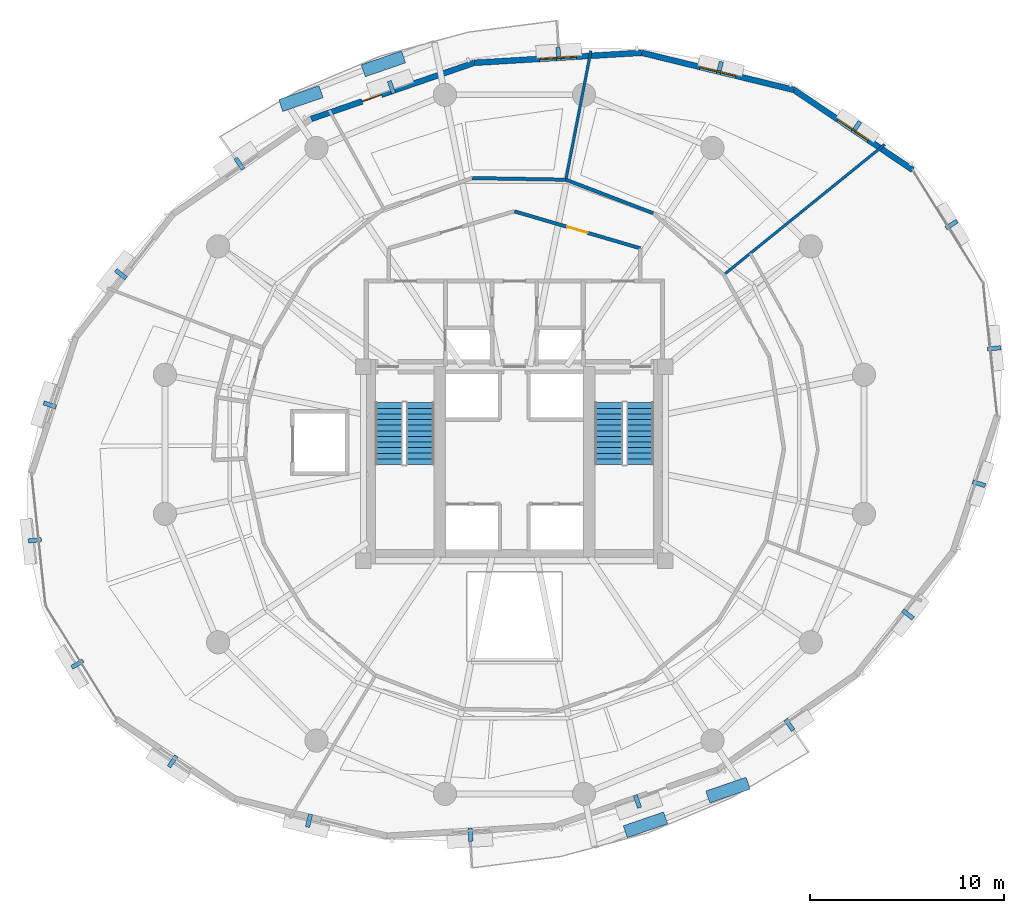
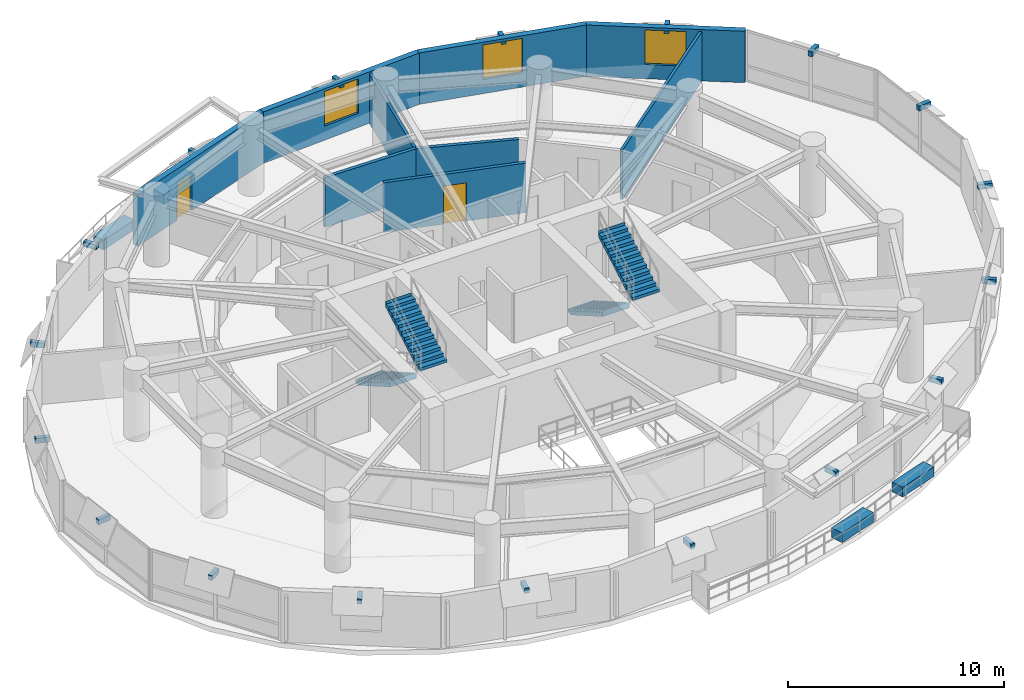
# One storey, part 12 of 15: 22 discrete accessories, 9 walls, 4 stair flights, 3 windows, 2 doors, 5 openings, 2 elements without a shape of their own.
"""IFC4 building model written with IfcOpenShell, lengths in metres."""

from ifc_helpers import new_model, si_unit, direction, frame, frame_2d, origin, origin_2d, place, context, subcontext, project, spatial, polyline, rectangle, outline, extrude, material, layer, layer_set, type_object, element, fill, aggregate, save


model = new_model("IFC4")

# Units and contexts
model_context = context("Model", 3, precision=1e-05, world=origin(), true_north=direction((0.0, 1.0)))
body_context = subcontext(model_context, "Body", "Model", "MODEL_VIEW")
ifc_project = project(units=[si_unit("LENGTHUNIT", "METRE"), si_unit("AREAUNIT", "SQUARE_METRE"), si_unit("VOLUMEUNIT", "CUBIC_METRE"), si_unit("PLANEANGLEUNIT", "RADIAN"), si_unit("MASSUNIT", "GRAM", prefix="KILO"), si_unit("THERMODYNAMICTEMPERATUREUNIT", "KELVIN"), si_unit("POWERUNIT", "WATT")], contexts=[model_context])

# Site, building, storey
site_placement = place(None, origin())
site = spatial("IfcSite", under=ifc_project, at=site_placement, CompositionType="ELEMENT")
building_placement = place(site_placement, origin())
building = spatial("IfcBuilding", under=site, at=building_placement, Name="Ocrelia Relay Tower", CompositionType="ELEMENT")
storey_placement = place(building_placement, frame((0.0, 0.0, 113.800048828125)))
storey = spatial("IfcBuildingStorey", under=building, at=storey_placement, Name="L26", CompositionType="ELEMENT", Elevation=113.800048828125)

# Wall, opening, door
ifc_material_1 = material(Name="Gypsum Fireboard Partition EI60", Category="gypsum")
ifc_layer_1 = layer(ifc_material_1, 0.179931640625, Name="Gypsum Fireboard Partition EI60")
ifc_layer_set_1 = layer_set([ifc_layer_1], Name="Gypsum Fireboard Partition EI60")
wall_type_1 = type_object("IfcWallType", Name="W-CORR-EI60-180", PredefinedType="PARTITIONING", material=ifc_layer_set_1)
wall_1_placement = place(storey_placement, frame((34.0, 38.030029296875, 0.0), z_axis=(0.0, 0.0, 1.0), x_axis=(0.959546654541, -0.281549671923, 0.0)))
wall_1 = element("IfcWall", 1, at=wall_1_placement, inside=storey, type_object=wall_type_1, Name="L26 North Smoke Lobby E Screen Wall", PredefinedType="PARTITIONING", context=body_context, shape_type="SweptSolid", body=[
    extrude(rectangle(XDim=6.77392578125, YDim=0.179931640625, at=frame_2d((3.386962890625, 0.0))), origin(), (0.0, 0.0, 1.0), 2.800048828125),
])
opening_1_placement = place(wall_1_placement, frame((2.8369140625, 0.0, 0.0)))
opening_1 = element("IfcOpeningElement", 2, at=opening_1_placement, cuts=wall_1, Name="Opening D-FD60", PredefinedType="OPENING", context=body_context, shape_type="SweptSolid", body=[
    extrude(rectangle(XDim=1.10009765625, YDim=2.14990234375, at=frame_2d((0.550048828125, 1.074951171875))), frame((0.0, 0.10009765625, 0.0), z_axis=(0.0, -1.0, 0.0), x_axis=(1.0, 0.0, 0.0)), (0.0, 0.0, 1.0), 0.199951171875),
])
ifc_material_2 = material(Name="Timber-core 60-min acoustic fire door", Category="wood")
door_type_1 = type_object("IfcDoorType", Name="DR-LOBBY-FD60-1100", OperationType="NOTDEFINED", PredefinedType="DOOR", material=ifc_material_2)
door_1_placement = place(opening_1_placement, origin())
door_1 = element("IfcDoor", 3, at=door_1_placement, inside=storey, type_object=door_type_1, Name="L26 North Smoke Lobby E Fire Door", OperationType="SINGLE_SWING_LEFT", OverallHeight=2.14990234375, OverallWidth=1.10009765625, PredefinedType="DOOR", context=body_context, shape_type="SweptSolid", body=[
    extrude(rectangle(XDim=1.10009765625, YDim=2.14990234375, at=frame_2d((0.550048828125, 1.074951171875))), frame((0.0, 0.02490234375, 0.0), z_axis=(0.0, -1.0, 0.0), x_axis=(1.0, 0.0, 0.0)), (0.0, 0.0, 1.0), 0.050048828125),
])
fill(opening_1, door_1)

# Walls
for number, where, z_axis, x_axis, name in (
    (4, (41.169189453125, 37.931884765625, 0.0), (0.0, 0.0, 1.0), (-0.933582294394, 0.35836308347, 0.0), "L26 Technical Briefing Room Corridor Partition 2"),
    (5, (36.656005859375, 39.664306640625, 0.0), (0.0, 0.0, 1.0), (-0.999848201787, 0.01742335739, 0.0), "L26 Photonics Testing Studio Corridor Partition 1"),
):
    element("IfcWall", number, at=place(storey_placement, frame(where, z_axis=z_axis, x_axis=x_axis)), inside=storey, type_object=wall_type_1, Name=name, PredefinedType="PARTITIONING", context=body_context, shape_type="SweptSolid", body=[
        extrude(rectangle(XDim=4.834228515625, YDim=0.179931640625, at=frame_2d((2.4169921875, 0.0))), origin(), (0.0, 0.0, 1.0), 2.800048828125),
    ])

# Wall, opening, window
ifc_material_3 = material(Name="Precast concrete C40/50 with oxide terracotta", Category="masonry")
ifc_layer_2 = layer(ifc_material_3, 0.300048828125, Name="Precast concrete C40/50 with oxide terracotta")
ifc_layer_set_2 = layer_set([ifc_layer_2], Name="Precast concrete C40/50 with oxide terracotta")
wall_type_2 = type_object("IfcWallType", Name="W-EXT-TERR-300", PredefinedType="SOLIDWALL", material=ifc_layer_set_2)
wall_2_placement = place(storey_placement, frame((54.56298828125, 40.17041015625, 0.0), z_axis=(0.0, 0.0, 1.0), x_axis=(-0.829231445655, 0.558905367247, 0.0)))
wall_2 = element("IfcWall", 6, at=wall_2_placement, inside=storey, type_object=wall_type_2, Name="L26 Oxide Terracotta Facade Wall 02", PredefinedType="SOLIDWALL", context=body_context, shape_type="SweptSolid", body=[
    extrude(rectangle(XDim=7.383056640625, YDim=0.300048828125, at=frame_2d((3.69140625, 0.0))), origin(), (0.0, 0.0, 1.0), 2.89990234375),
])
opening_2_placement = place(wall_2_placement, frame((2.741943359375, 0.0, 0.800048828125)))
opening_2 = element("IfcOpeningElement", 7, at=opening_2_placement, cuts=wall_2, Name="Opening W-06", PredefinedType="OPENING", context=body_context, shape_type="SweptSolid", body=[
    extrude(rectangle(XDim=1.89990234375, YDim=1.949951171875, at=frame_2d((0.949951171875, 0.97509765625))), frame((0.0, 0.16015625, 0.0), z_axis=(0.0, -1.0, 0.0), x_axis=(1.0, 0.0, 0.0)), (0.0, 0.0, 1.0), 0.320068359375),
])
ifc_material_4 = material(Name="Clear double-glazed low-E glass", Category="glass")
window_type = type_object("IfcWindowType", Name="WIN-Z2-1900x2100", PartitioningType="DOUBLE_PANEL_VERTICAL", PredefinedType="WINDOW", material=ifc_material_4)
window_1_placement = place(opening_2_placement, origin())
window_1 = element("IfcWindow", 8, at=window_1_placement, inside=storey, type_object=window_type, Name="L26 Facade Module Window 02", OverallHeight=1.949951171875, OverallWidth=1.89990234375, PartitioningType="SINGLE_PANEL", PredefinedType="WINDOW", context=body_context, shape_type="SweptSolid", body=[
    extrude(rectangle(XDim=1.89990234375, YDim=1.949951171875, at=frame_2d((0.949951171875, 0.97509765625))), frame((0.0, 0.030029296875, 0.0), z_axis=(0.0, -1.0, 0.0), x_axis=(1.0, 0.0, 0.0)), (0.0, 0.0, 1.0), 0.06005859375),
])
fill(opening_2, window_1)

wall_3_placement = place(storey_placement, frame((48.440673828125, 44.296875, 0.0), z_axis=(0.0, 0.0, 1.0), x_axis=(-0.971475786146, 0.237138771466, 0.0)))
wall_3 = element("IfcWall", 9, at=wall_3_placement, inside=storey, type_object=wall_type_2, Name="L26 Oxide Terracotta Facade Wall 03", PredefinedType="SOLIDWALL", context=body_context, shape_type="SweptSolid", body=[
    extrude(rectangle(XDim=8.09521484375, YDim=0.300048828125, at=frame_2d((4.047607421875, 0.0))), origin(), (0.0, 0.0, 1.0), 2.89990234375),
])
opening_3_placement = place(wall_3_placement, frame((3.097900390625, 0.0, 0.800048828125)))
opening_3 = element("IfcOpeningElement", 10, at=opening_3_placement, cuts=wall_3, Name="Opening W-06", PredefinedType="OPENING", context=body_context, shape_type="SweptSolid", body=[
    extrude(rectangle(XDim=1.89990234375, YDim=1.949951171875, at=frame_2d((0.949951171875, 0.97509765625))), frame((0.0, 0.16015625, 0.0), z_axis=(0.0, -1.0, 0.0), x_axis=(1.0, 0.0, 0.0)), (0.0, 0.0, 1.0), 0.320068359375),
])
window_2_placement = place(opening_3_placement, origin())
window_2 = element("IfcWindow", 11, at=window_2_placement, inside=storey, type_object=window_type, Name="L26 Facade Module Window 03", OverallHeight=1.949951171875, OverallWidth=1.89990234375, PartitioningType="SINGLE_PANEL", PredefinedType="WINDOW", context=body_context, shape_type="SweptSolid", body=[
    extrude(rectangle(XDim=1.89990234375, YDim=1.949951171875, at=frame_2d((0.949951171875, 0.97509765625))), frame((0.0, 0.030029296875, 0.0), z_axis=(0.0, -1.0, 0.0), x_axis=(1.0, 0.0, 0.0)), (0.0, 0.0, 1.0), 0.06005859375),
])
fill(opening_3, window_2)

wall_4_placement = place(storey_placement, frame((40.576416015625, 46.216552734375, 0.0), z_axis=(0.0, 0.0, 1.0), x_axis=(-0.998210999653, -0.059789632646, 0.0)))
wall_4 = element("IfcWall", 12, at=wall_4_placement, inside=storey, type_object=wall_type_2, Name="L26 Oxide Terracotta Facade Wall 04", PredefinedType="SOLIDWALL", context=body_context, shape_type="SweptSolid", body=[
    extrude(rectangle(XDim=8.673095703125, YDim=0.300048828125, at=frame_2d((4.33642578125, 0.0))), origin(), (0.0, 0.0, 1.0), 2.89990234375),
])
opening_4_placement = place(wall_4_placement, frame((3.385986328125, 0.0, 0.800048828125)))
opening_4 = element("IfcOpeningElement", 13, at=opening_4_placement, cuts=wall_4, Name="Opening W-06", PredefinedType="OPENING", context=body_context, shape_type="SweptSolid", body=[
    extrude(rectangle(XDim=1.89990234375, YDim=1.949951171875, at=frame_2d((0.949951171875, 0.97509765625))), frame((0.0, 0.16015625, 0.0), z_axis=(0.0, -1.0, 0.0), x_axis=(1.0, 0.0, 0.0)), (0.0, 0.0, 1.0), 0.320068359375),
])
window_3_placement = place(opening_4_placement, origin())
window_3 = element("IfcWindow", 14, at=window_3_placement, inside=storey, type_object=window_type, Name="L26 Facade Module Window 04", OverallHeight=1.949951171875, OverallWidth=1.89990234375, PartitioningType="SINGLE_PANEL", PredefinedType="WINDOW", context=body_context, shape_type="SweptSolid", body=[
    extrude(rectangle(XDim=1.89990234375, YDim=1.949951171875, at=frame_2d((0.949951171875, 0.97509765625))), frame((0.0, 0.030029296875, 0.0), z_axis=(0.0, -1.0, 0.0), x_axis=(1.0, 0.0, 0.0)), (0.0, 0.0, 1.0), 0.06005859375),
])
fill(opening_4, window_3)

# Wall, opening, door
wall_5_placement = place(storey_placement, frame((31.9189453125, 45.697998046875, 0.0), z_axis=(0.0, 0.0, 1.0), x_axis=(-0.945509178588, -0.325595444079, 0.0)))
wall_5 = element("IfcWall", 15, at=wall_5_placement, inside=storey, type_object=wall_type_2, Name="L26 Oxide Terracotta Facade Wall 05", PredefinedType="SOLIDWALL", context=body_context, shape_type="SweptSolid", body=[
    extrude(rectangle(XDim=8.890625, YDim=0.300048828125, at=frame_2d((4.4453125, 0.0))), origin(), (0.0, 0.0, 1.0), 2.89990234375),
])
opening_5_placement = place(wall_5_placement, frame((5.070068359375, 0.0, 0.0)))
opening_5 = element("IfcOpeningElement", 16, at=opening_5_placement, cuts=wall_5, Name="Opening DB-105", PredefinedType="OPENING", context=body_context, shape_type="SweptSolid", body=[
    extrude(rectangle(XDim=1.050048828125, YDim=2.14990234375, at=frame_2d((0.52490234375, 1.074951171875))), frame((0.0, 0.16015625, 0.0), z_axis=(0.0, -1.0, 0.0), x_axis=(1.0, 0.0, 0.0)), (0.0, 0.0, 1.0), 0.320068359375),
])
ifc_material_5 = material(Name="Thermally broken aluminium and clear glass", Category="aluminium")
door_type_2 = type_object("IfcDoorType", Name="DR-BALC-1050", OperationType="NOTDEFINED", PredefinedType="DOOR", material=ifc_material_5)
door_2_placement = place(opening_5_placement, origin())
door_2 = element("IfcDoor", 17, at=door_2_placement, inside=storey, type_object=door_type_2, Name="L26 Planted Loggia Balcony Door B1", OperationType="SINGLE_SWING_LEFT", OverallHeight=2.14990234375, OverallWidth=1.050048828125, PredefinedType="DOOR", context=body_context, shape_type="SweptSolid", body=[
    extrude(rectangle(XDim=1.050048828125, YDim=2.14990234375, at=frame_2d((0.52490234375, 1.074951171875))), frame((0.0, 0.02490234375, 0.0), z_axis=(0.0, -1.0, 0.0), x_axis=(1.0, 0.0, 0.0)), (0.0, 0.0, 1.0), 0.050048828125),
])
fill(opening_5, door_2)

# Walls
ifc_material_6 = material(Name="Acoustic Fireboard Partition EI60", Category="gypsum")
ifc_layer_3 = layer(ifc_material_6, 0.139892578125, Name="Acoustic Fireboard Partition EI60")
ifc_layer_set_3 = layer_set([ifc_layer_3], Name="Acoustic Fireboard Partition EI60")
wall_type_3 = type_object("IfcWallType", Name="W-PART-140", PredefinedType="PARTITIONING", material=ifc_layer_set_3)
wall_6_placement = place(storey_placement, frame((44.81787109375, 34.760009765625, 0.0), z_axis=(0.0, 0.0, 1.0), x_axis=(0.777143223093, 0.629323772632, 0.0)))
element("IfcWall", 18, at=wall_6_placement, inside=storey, type_object=wall_type_3, Name="L26 Training Seminar Room Radial Partition", PredefinedType="PARTITIONING", context=body_context, shape_type="SweptSolid", body=[
    extrude(rectangle(XDim=10.684326171875, YDim=0.139892578125, at=frame_2d((5.34228515625, 0.0))), origin(), (0.0, 0.0, 1.0), 2.800048828125),
])
wall_7_placement = place(storey_placement, frame((36.656005859375, 39.664306640625, 0.0), z_axis=(0.0, 0.0, 1.0), x_axis=(0.190815684343, 0.981625883221, 0.0)))
element("IfcWall", 19, at=wall_7_placement, inside=storey, type_object=wall_type_3, Name="L26 Technical Briefing Room Radial Partition", PredefinedType="PARTITIONING", context=body_context, shape_type="SweptSolid", body=[
    extrude(rectangle(XDim=6.77978515625, YDim=0.139892578125, at=frame_2d((3.389892578125, 0.0))), origin(), (0.0, 0.0, 1.0), 2.800048828125),
])

# Stair, stair flights
ifc_material_7 = material(Name="Concrete C50/60", Category="concrete")
stair_type = type_object("IfcStairType", Name="ST-DL-1420-R167", PredefinedType="HALF_TURN_STAIR", material=ifc_material_7)
stair_1_placement = place(storey_placement, origin())
stair_1 = element("IfcStair", 20, at=stair_1_placement, inside=storey, type_object=stair_type, Name="L26 West Core Exit Stair ST1", PredefinedType="HALF_TURN_STAIR")
stair_flight_type = type_object("IfcStairFlightType", Name="STF-DL-1420-R167", PredefinedType="STRAIGHT", material=ifc_material_7)
stair_flight_1_placement = place(storey_placement, frame((27.52001953125, 28.14990234375, 0.0), z_axis=(0.0, 0.0, 1.0), x_axis=(0.0, -1.0, 0.0)))
stair_flight_1 = element("IfcStairFlight", 21, at=stair_flight_1_placement, type_object=stair_flight_type, Name="ST1 flight 1", NumberOfRisers=12, NumberOfTreads=11, PredefinedType="STRAIGHT", RiserHeight=0.166666667, TreadLength=0.29, context=body_context, shape_type="SweptSolid", body=[
    extrude(outline(polyline([(-0.008056640625, 0.0), (-0.008056640625, 0.166748046875), (0.0, 0.166748046875), (0.2900390625, 0.166748046875), (0.2900390625, 0.333251953125), (0.580078125, 0.333251953125), (0.580078125, 0.5), (0.8701171875, 0.5), (0.8701171875, 0.666748046875), (1.159912109375, 0.666748046875), (1.159912109375, 0.833251953125), (1.449951171875, 0.833251953125), (1.449951171875, 1.0), (1.739990234375, 1.0), (1.739990234375, 1.166748046875), (2.030029296875, 1.166748046875), (2.030029296875, 1.333251953125), (2.320068359375, 1.333251953125), (2.320068359375, 1.5), (2.610107421875, 1.5), (2.610107421875, 1.666748046875), (2.89990234375, 1.666748046875), (2.89990234375, 1.833251953125), (3.18994140625, 1.833251953125), (3.18994140625, 2.0), (3.197998046875, 2.0), (3.197998046875, 1.660400390625), (0.30078125, 0.0), (-0.008056640625, 0.0)])), frame((0.0, 0.7099609375, 0.0), z_axis=(0.0, -1.0, 0.0), x_axis=(1.0, 0.0, 0.0)), (0.0, 0.0, 1.0), 1.419921875),
])
stair_flight_2_placement = place(storey_placement, frame((29.139892578125, 24.9599609375, 2.0), z_axis=(0.0, 0.0, 1.0), x_axis=(0.0, 1.0, 0.0)))
stair_flight_2 = element("IfcStairFlight", 22, at=stair_flight_2_placement, type_object=stair_flight_type, Name="ST1 flight 2", NumberOfRisers=12, NumberOfTreads=11, PredefinedType="STRAIGHT", RiserHeight=0.166666667, TreadLength=0.29, context=body_context, shape_type="SweptSolid", body=[
    extrude(outline(polyline([(-0.008056640625, 0.0), (-0.008056640625, 0.166748046875), (0.0, 0.166748046875), (0.2900390625, 0.166748046875), (0.2900390625, 0.333251953125), (0.580078125, 0.333251953125), (0.580078125, 0.5), (0.8701171875, 0.5), (0.8701171875, 0.666748046875), (1.159912109375, 0.666748046875), (1.159912109375, 0.833251953125), (1.449951171875, 0.833251953125), (1.449951171875, 1.0), (1.739990234375, 1.0), (1.739990234375, 1.166748046875), (2.030029296875, 1.166748046875), (2.030029296875, 1.333251953125), (2.320068359375, 1.333251953125), (2.320068359375, 1.5), (2.610107421875, 1.5), (2.610107421875, 1.666748046875), (2.89990234375, 1.666748046875), (2.89990234375, 1.833251953125), (3.18994140625, 1.833251953125), (3.18994140625, 2.0), (3.197998046875, 2.0), (3.197998046875, 1.660400390625), (0.30078125, 0.0), (-0.008056640625, 0.0)])), frame((0.0, 0.7099609375, 0.0), z_axis=(0.0, -1.0, 0.0), x_axis=(1.0, 0.0, 0.0)), (0.0, 0.0, 1.0), 1.419921875),
])
aggregate(stair_1, [stair_flight_1, stair_flight_2])

stair_2_placement = place(storey_placement, origin())
stair_2 = element("IfcStair", 23, at=stair_2_placement, inside=storey, type_object=stair_type, Name="L26 East Core Exit Stair ST2", PredefinedType="HALF_TURN_STAIR")
stair_flight_3_placement = place(storey_placement, frame((38.8701171875, 28.14990234375, 0.0), z_axis=(0.0, 0.0, 1.0), x_axis=(0.0, -1.0, 0.0)))
stair_flight_3 = element("IfcStairFlight", 24, at=stair_flight_3_placement, type_object=stair_flight_type, Name="ST2 flight 1", NumberOfRisers=12, NumberOfTreads=11, PredefinedType="STRAIGHT", RiserHeight=0.166666667, TreadLength=0.29, context=body_context, shape_type="SweptSolid", body=[
    extrude(outline(polyline([(-0.008056640625, 0.0), (-0.008056640625, 0.166748046875), (0.0, 0.166748046875), (0.2900390625, 0.166748046875), (0.2900390625, 0.333251953125), (0.580078125, 0.333251953125), (0.580078125, 0.5), (0.8701171875, 0.5), (0.8701171875, 0.666748046875), (1.159912109375, 0.666748046875), (1.159912109375, 0.833251953125), (1.449951171875, 0.833251953125), (1.449951171875, 1.0), (1.739990234375, 1.0), (1.739990234375, 1.166748046875), (2.030029296875, 1.166748046875), (2.030029296875, 1.333251953125), (2.320068359375, 1.333251953125), (2.320068359375, 1.5), (2.610107421875, 1.5), (2.610107421875, 1.666748046875), (2.89990234375, 1.666748046875), (2.89990234375, 1.833251953125), (3.18994140625, 1.833251953125), (3.18994140625, 2.0), (3.197998046875, 2.0), (3.197998046875, 1.660400390625), (0.30078125, 0.0), (-0.008056640625, 0.0)])), frame((0.0, 0.7099609375, 0.0), z_axis=(0.0, -1.0, 0.0), x_axis=(1.0, 0.0, 0.0)), (0.0, 0.0, 1.0), 1.419921875),
])
stair_flight_4_placement = place(storey_placement, frame((40.489990234375, 24.9599609375, 2.0), z_axis=(0.0, 0.0, 1.0), x_axis=(0.0, 1.0, 0.0)))
stair_flight_4 = element("IfcStairFlight", 25, at=stair_flight_4_placement, type_object=stair_flight_type, Name="ST2 flight 2", NumberOfRisers=12, NumberOfTreads=11, PredefinedType="STRAIGHT", RiserHeight=0.166666667, TreadLength=0.29, context=body_context, shape_type="SweptSolid", body=[
    extrude(outline(polyline([(-0.008056640625, 0.0), (-0.008056640625, 0.166748046875), (0.0, 0.166748046875), (0.2900390625, 0.166748046875), (0.2900390625, 0.333251953125), (0.580078125, 0.333251953125), (0.580078125, 0.5), (0.8701171875, 0.5), (0.8701171875, 0.666748046875), (1.159912109375, 0.666748046875), (1.159912109375, 0.833251953125), (1.449951171875, 0.833251953125), (1.449951171875, 1.0), (1.739990234375, 1.0), (1.739990234375, 1.166748046875), (2.030029296875, 1.166748046875), (2.030029296875, 1.333251953125), (2.320068359375, 1.333251953125), (2.320068359375, 1.5), (2.610107421875, 1.5), (2.610107421875, 1.666748046875), (2.89990234375, 1.666748046875), (2.89990234375, 1.833251953125), (3.18994140625, 1.833251953125), (3.18994140625, 2.0), (3.197998046875, 2.0), (3.197998046875, 1.660400390625), (0.30078125, 0.0), (-0.008056640625, 0.0)])), frame((0.0, 0.7099609375, 0.0), z_axis=(0.0, -1.0, 0.0), x_axis=(1.0, 0.0, 0.0)), (0.0, 0.0, 1.0), 1.419921875),
])
aggregate(stair_2, [stair_flight_3, stair_flight_4])

# Discrete accessories
ifc_material_8 = material(Name="Precast concrete C40/50 planter with highland greenery", Category="concrete")
discrete_accessory_type_1 = type_object("IfcDiscreteAccessoryType", Name="ACC-BALC-PLANTER", PredefinedType="USERDEFINED", material=ifc_material_8)
for number, where, z_axis, x_axis, name in (
    (26, (27.235595703125, 45.6455078125, 0.0), (0.0, 0.0, 1.0), (0.945523814112, 0.325552940313, 0.0), "L26 Balcony Terracotta Planter with Greenery B1"),
    (27, (22.975830078125, 43.851318359375, 0.0), (0.0, 0.0, 1.0), (0.945523814112, 0.325552940313, 0.0), "L26 Balcony Terracotta Planter B1-2"),
    (28, (40.764404296875, 6.3544921875, 0.0), (0.0, 0.0, 1.0), (-0.945523814112, -0.325552940313, 0.0), "L26 Balcony Terracotta Planter with Greenery B2"),
    (29, (45.024169921875, 8.148681640625, 0.0), (0.0, 0.0, 1.0), (-0.945523814112, -0.325552940313, 0.0), "L26 Balcony Terracotta Planter B2-2"),
):
    element("IfcDiscreteAccessory", number, at=place(storey_placement, frame(where, z_axis=z_axis, x_axis=x_axis)), inside=storey, type_object=discrete_accessory_type_1, Name=name, ObjectType="PLANTER", PredefinedType="USERDEFINED", context=body_context, shape_type="SweptSolid", body=[
        extrude(rectangle(XDim=2.199951171875, YDim=0.64990234375, at=origin_2d()), origin(), (0.0, 0.0, 1.0), 0.550048828125),
    ])
ifc_material_9 = material(Name="Steel S355", Category="steel")
discrete_accessory_type_2 = type_object("IfcDiscreteAccessoryType", Name="ACC-VISOR-BRACKET", PredefinedType="BRACKET", material=ifc_material_9)
for number, where, z_axis, x_axis, name in (
    (30, (56.562744140625, 37.34228515625, 2.60009765625), (0.0, 0.0, 1.0), (-0.529468330311, 0.8483297043, 0.0), "L26 Visor Mounting Bracket 01"),
    (31, (51.6484375, 42.36962890625, 2.60009765625), (0.0, 0.0, 1.0), (-0.829226580971, 0.558912584767, 0.0), "L26 Visor Mounting Bracket 02"),
    (32, (44.604248046875, 45.432373046875, 2.60009765625), (0.0, 0.0, 1.0), (-0.971474750883, 0.237143012539, 0.0), "L26 Visor Mounting Bracket 03"),
    (33, (36.27001953125, 46.156005859375, 2.60009765625), (0.0, 0.0, 1.0), (-0.998209970395, -0.059806814021, 0.0), "L26 Visor Mounting Bracket 04"),
    (34, (27.650634765625, 44.439697265625, 2.60009765625), (0.0, 0.0, 1.0), (-0.945517039976, -0.325572614197, 0.0), "L26 Visor Mounting Bracket 05"),
    (35, (19.802001953125, 40.485595703125, 2.60009765625), (0.0, 0.0, 1.0), (-0.823426792688, -0.567422520777, 0.0), "L26 Visor Mounting Bracket 06"),
    (36, (13.679931640625, 34.7841796875, 2.60009765625), (0.0, 0.0, 1.0), (-0.61952171944, -0.78497951511, 0.0), "L26 Visor Mounting Bracket 07"),
    (37, (10.0146484375, 28.033935546875, 2.60009765625), (0.0, 0.0, 1.0), (-0.309348521649, -0.950948732663, 0.0), "L26 Visor Mounting Bracket 08"),
    (38, (9.2373046875, 21.046875, 2.60009765625), (0.0, 0.0, 1.0), (0.105057836614, -0.994466113533, 0.0), "L26 Visor Mounting Bracket 09"),
    (39, (11.437255859375, 14.65771484375, 2.60009765625), (0.0, 0.0, 1.0), (0.529468330311, -0.8483297043, 0.0), "L26 Visor Mounting Bracket 10"),
    (40, (16.3515625, 9.63037109375, 2.60009765625), (0.0, 0.0, 1.0), (0.829226580971, -0.558912584767, 0.0), "L26 Visor Mounting Bracket 11"),
    (41, (23.395751953125, 6.567626953125, 2.60009765625), (0.0, 0.0, 1.0), (0.971474750883, -0.237143012539, 0.0), "L26 Visor Mounting Bracket 12"),
    (42, (31.72998046875, 5.843994140625, 2.60009765625), (0.0, 0.0, 1.0), (0.998209970395, 0.059806814021, 0.0), "L26 Visor Mounting Bracket 13"),
    (43, (40.349365234375, 7.560302734375, 2.60009765625), (0.0, 0.0, 1.0), (0.945517039976, 0.325572614197, 0.0), "L26 Visor Mounting Bracket 14"),
    (44, (48.197998046875, 11.514404296875, 2.60009765625), (0.0, 0.0, 1.0), (0.823426792688, 0.567422520777, 0.0), "L26 Visor Mounting Bracket 15"),
    (45, (54.320068359375, 17.2158203125, 2.60009765625), (0.0, 0.0, 1.0), (0.61952171944, 0.78497951511, 0.0), "L26 Visor Mounting Bracket 16"),
    (46, (57.9853515625, 23.966064453125, 2.60009765625), (0.0, 0.0, 1.0), (0.309348521649, 0.950948732663, 0.0), "L26 Visor Mounting Bracket 17"),
    (47, (58.7626953125, 30.953125, 2.60009765625), (0.0, 0.0, 1.0), (-0.105057836614, 0.994466113533, 0.0), "L26 Visor Mounting Bracket 18"),
):
    element("IfcDiscreteAccessory", number, at=place(storey_placement, frame(where, z_axis=z_axis, x_axis=x_axis)), inside=storey, type_object=discrete_accessory_type_2, Name=name, PredefinedType="BRACKET", context=body_context, shape_type="SweptSolid", body=[
        extrude(rectangle(XDim=0.219970703125, YDim=0.679931640625, at=origin_2d()), origin(), (0.0, 0.0, 1.0), 0.280029296875),
    ])

save(model, "model.ifc")
